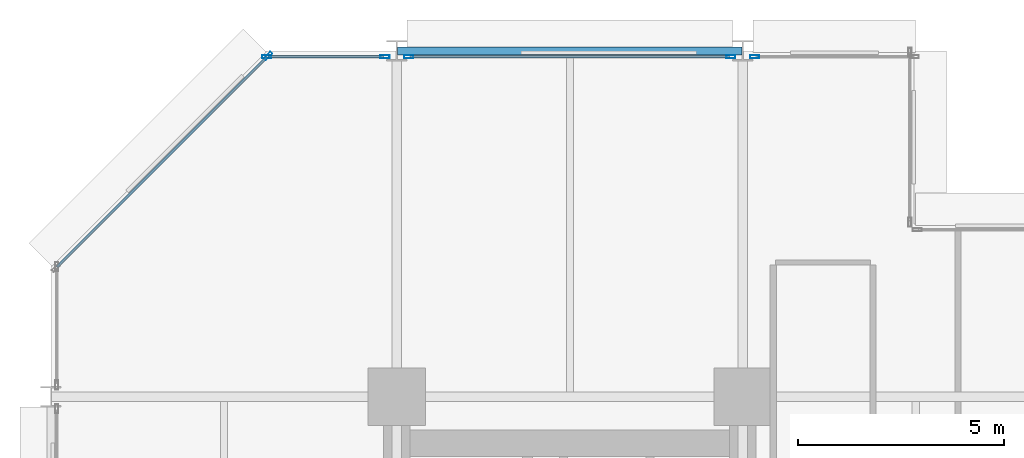
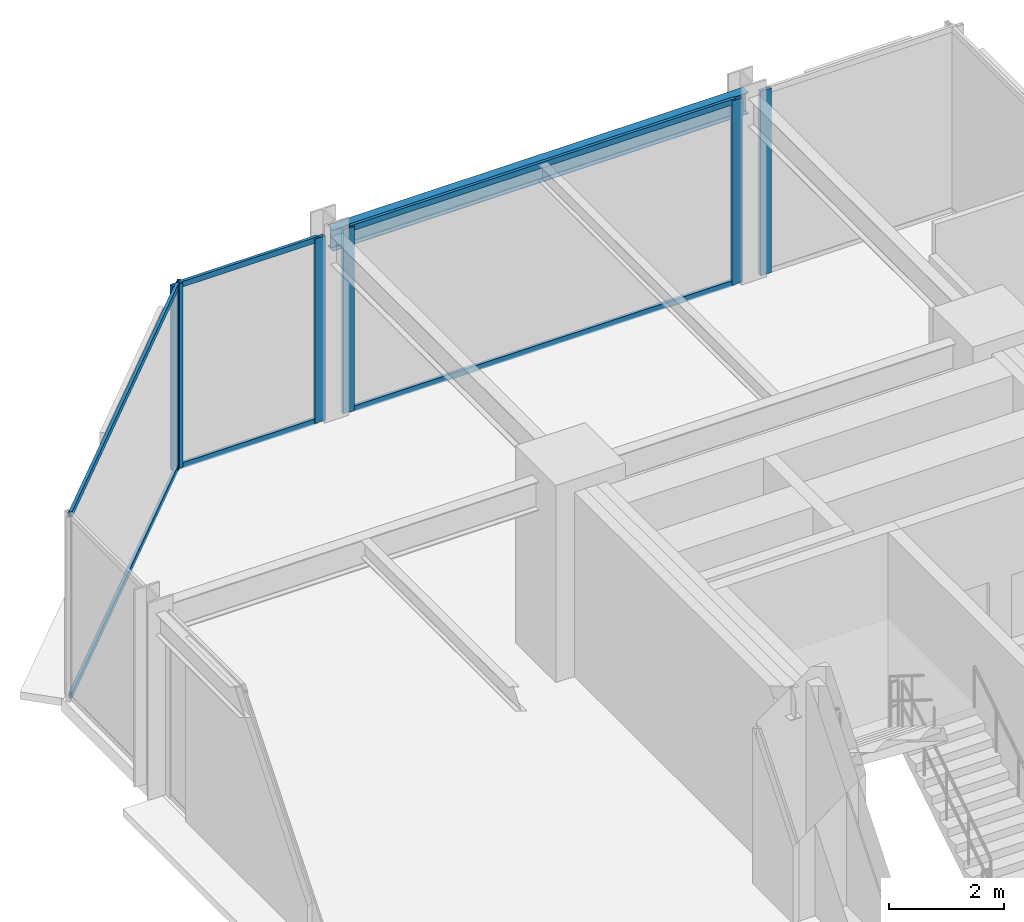
# One storey, part 19 of 27: 12 members, 1 beam, 4 elements without a shape of their own.
"""IFC4 building model written with IfcOpenShell, lengths in metres."""

from ifc_helpers import new_model, si_unit, direction, frame, origin, origin_2d, place, context, subcontext, project, spatial, hollow_rectangle, i_section, extrude, material, layer, layer_set, material_profile, profile_set, type_object, element, aggregate, save


model = new_model("IFC4")

# Units and contexts
model_context = context("Model", 3, precision=1e-05, world=origin(), true_north=direction((0.0, 1.0)))
body_context = subcontext(model_context, "Body", "Model", "MODEL_VIEW")
ifc_project = project(units=[si_unit("LENGTHUNIT", "METRE"), si_unit("AREAUNIT", "SQUARE_METRE"), si_unit("VOLUMEUNIT", "CUBIC_METRE"), si_unit("PLANEANGLEUNIT", "RADIAN"), si_unit("MASSUNIT", "GRAM", prefix="KILO")], contexts=[model_context])

# Site, building, storey
site_placement = place(None, origin())
site = spatial("IfcSite", under=ifc_project, at=site_placement, CompositionType="ELEMENT")
building_placement = place(site_placement, origin())
building = spatial("IfcBuilding", under=site, at=building_placement, Name="Nerrivon Quay Data Exchange", CompositionType="ELEMENT")
storey_placement = place(building_placement, frame((0.0, 0.0, 66.800048828125)))
storey = spatial("IfcBuildingStorey", under=building, at=storey_placement, Name="L15", CompositionType="ELEMENT", Elevation=66.800048828125)

# Beam
ifc_material_1 = material(Name="Steel Grade 350", Category="steel")
ifc_material_profile_1 = material_profile(ifc_material_1, i_section(OverallWidth=0.18994140625, OverallDepth=0.4541015625, WebThickness=0.008544921875, FlangeThickness=0.0126953125, FilletRadius=0.011474609375, at=origin_2d()), Name="460UB67.1")
ifc_profile_set_1 = profile_set([ifc_material_profile_1], Name="Steel Grade 350")
beam_type = type_object("IfcBeamType", Name="BM-SP1-460UB67", PredefinedType="SPANDREL", material=ifc_profile_set_1)
beam_placement = place(storey_placement, frame((8.4140625, 50.39990234375, 3.697998046875), z_axis=(1.0, 0.0, 0.0), x_axis=(0.0, 1.0, 0.0)))
element("IfcBeam", 1, at=beam_placement, inside=storey, type_object=beam_type, Name="L15 EW Girder Y=50.4 (8.4..16.8)", PredefinedType="SPANDREL", context=body_context, shape_type="SweptSolid", body=[
    extrude(i_section(OverallWidth=0.18994140625, OverallDepth=0.4541015625, WebThickness=0.008544921875, FlangeThickness=0.0126953125, FilletRadius=0.011474609375, at=origin_2d()), origin(), (0.0, 0.0, 1.0), 8.371826171875),
])

# Curtain wall, member
ifc_material_2 = material(Name="Anodised aluminium 6063-T6", Category="aluminium")
ifc_layer = layer(ifc_material_2, 0.219970703125)
ifc_layer_set = layer_set([ifc_layer], Name="Anodised aluminium 6063-T6")
curtain_wall_type = type_object("IfcCurtainWallType", Name="CW-SYS-01", PredefinedType="NOTDEFINED", material=ifc_layer_set)
curtain_wall_1_placement = place(storey_placement, origin())
curtain_wall_1 = element("IfcCurtainWall", 2, at=curtain_wall_1_placement, inside=storey, type_object=curtain_wall_type, Name="L15 Unitised Curtain Wall 23", PredefinedType="NOTDEFINED")
ifc_material_profile_2 = material_profile(ifc_material_2, hollow_rectangle(XDim=0.074951171875, YDim=0.219970703125, WallThickness=0.00390625, at=origin_2d()), Name="ALU-MULL-220x75")
ifc_profile_set_2 = profile_set([ifc_material_profile_2], Name="Anodised aluminium 6063-T6")
member_type_1 = type_object("IfcMemberType", Name="CWM-220x75", PredefinedType="MULLION", material=ifc_profile_set_2)
member_1_placement = place(storey_placement, frame((5.2724609375, 50.2744140625, 0.0), z_axis=(0.0, 0.0, 1.0), x_axis=(-0.707106781187, 0.707106781187, 0.0)))
member_1 = element("IfcMember", 3, at=member_1_placement, type_object=member_type_1, Name="CW01 mullion 2", PredefinedType="MULLION", context=body_context, shape_type="SweptSolid", body=[
    extrude(hollow_rectangle(XDim=0.074951171875, YDim=0.219970703125, WallThickness=0.00390625, at=origin_2d()), origin(), (0.0, 0.0, 1.0), 3.925048828125),
])

# Curtain wall, members
curtain_wall_2_placement = place(storey_placement, origin())
curtain_wall_2 = element("IfcCurtainWall", 4, at=curtain_wall_2_placement, inside=storey, type_object=curtain_wall_type, Name="L15 Unitised Curtain Wall 24", PredefinedType="NOTDEFINED")
member_2_placement = place(storey_placement, frame((5.237548828125, 50.260009765625, 0.0), z_axis=(0.0, 0.0, 1.0), x_axis=(0.0, 1.0, 0.0)))
member_2 = element("IfcMember", 5, at=member_2_placement, type_object=member_type_1, Name="CW01 mullion 1", PredefinedType="MULLION", context=body_context, shape_type="SweptSolid", body=[
    extrude(hollow_rectangle(XDim=0.074951171875, YDim=0.219970703125, WallThickness=0.00390625, at=origin_2d()), origin(), (0.0, 0.0, 1.0), 3.925048828125),
])
member_3_placement = place(storey_placement, frame((8.112548828125, 50.260009765625, 0.0), z_axis=(0.0, 0.0, 1.0), x_axis=(0.0, 1.0, 0.0)))
member_3 = element("IfcMember", 6, at=member_3_placement, type_object=member_type_1, Name="CW01 mullion 2", PredefinedType="MULLION", context=body_context, shape_type="SweptSolid", body=[
    extrude(hollow_rectangle(XDim=0.074951171875, YDim=0.219970703125, WallThickness=0.00390625, at=origin_2d()), origin(), (0.0, 0.0, 1.0), 3.925048828125),
])

curtain_wall_3_placement = place(storey_placement, origin())
curtain_wall_3 = element("IfcCurtainWall", 7, at=curtain_wall_3_placement, inside=storey, type_object=curtain_wall_type, Name="L15 Unitised Curtain Wall 25", PredefinedType="NOTDEFINED")
member_4_placement = place(storey_placement, frame((8.6875, 50.260009765625, 0.0), z_axis=(0.0, 0.0, 1.0), x_axis=(0.0, 1.0, 0.0)))
member_4 = element("IfcMember", 8, at=member_4_placement, type_object=member_type_1, Name="CW01 mullion 1", PredefinedType="MULLION", context=body_context, shape_type="SweptSolid", body=[
    extrude(hollow_rectangle(XDim=0.074951171875, YDim=0.219970703125, WallThickness=0.00390625, at=origin_2d()), origin(), (0.0, 0.0, 1.0), 3.925048828125),
])
member_5_placement = place(storey_placement, frame((16.512451171875, 50.260009765625, 0.0), z_axis=(0.0, 0.0, 1.0), x_axis=(0.0, 1.0, 0.0)))
member_5 = element("IfcMember", 9, at=member_5_placement, type_object=member_type_1, Name="CW01 mullion 2", PredefinedType="MULLION", context=body_context, shape_type="SweptSolid", body=[
    extrude(hollow_rectangle(XDim=0.074951171875, YDim=0.219970703125, WallThickness=0.00390625, at=origin_2d()), origin(), (0.0, 0.0, 1.0), 3.925048828125),
])

# Curtain wall, member
curtain_wall_4_placement = place(storey_placement, origin())
curtain_wall_4 = element("IfcCurtainWall", 10, at=curtain_wall_4_placement, inside=storey, type_object=curtain_wall_type, Name="L15 Unitised Curtain Wall 26", PredefinedType="NOTDEFINED")
member_6_placement = place(storey_placement, frame((17.08740234375, 50.260009765625, 0.0), z_axis=(0.0, 0.0, 1.0), x_axis=(0.0, 1.0, 0.0)))
member_6 = element("IfcMember", 11, at=member_6_placement, type_object=member_type_1, Name="CW01 mullion 1", PredefinedType="MULLION", context=body_context, shape_type="SweptSolid", body=[
    extrude(hollow_rectangle(XDim=0.074951171875, YDim=0.219970703125, WallThickness=0.00390625, at=origin_2d()), origin(), (0.0, 0.0, 1.0), 3.925048828125),
])
aggregate(curtain_wall_4, [member_6])

# Member
ifc_material_profile_3 = material_profile(ifc_material_2, hollow_rectangle(XDim=0.06005859375, YDim=0.1201171875, WallThickness=0.003173828125, at=origin_2d()), Name="ALU-TRAN-120x60")
ifc_profile_set_3 = profile_set([ifc_material_profile_3], Name="Anodised aluminium 6063-T6")
member_type_2 = type_object("IfcMemberType", Name="CWT-120x60", PredefinedType="USERDEFINED", material=ifc_profile_set_3)
member_7_placement = place(storey_placement, frame((0.152099609375, 45.154052734375, 0.032470703125), z_axis=(0.707089835771, 0.707123726196, 0.0), x_axis=(-0.707123726196, 0.707089835771, 0.0)))
member_7 = element("IfcMember", 12, at=member_7_placement, type_object=member_type_2, Name="CW01 transom 1.1", ObjectType="TRANSOM", PredefinedType="USERDEFINED", context=body_context, shape_type="SweptSolid", body=[
    extrude(hollow_rectangle(XDim=0.06005859375, YDim=0.1201171875, WallThickness=0.003173828125, at=origin_2d()), origin(), (0.0, 0.0, 1.0), 7.203857421875),
])

member_8_placement = place(storey_placement, frame((0.152099609375, 45.154052734375, 3.892333984375), z_axis=(0.707089835771, 0.707123726196, 0.0), x_axis=(-0.707123726196, 0.707089835771, 0.0)))
member_8 = element("IfcMember", 13, at=member_8_placement, type_object=member_type_2, Name="CW01 transom 1.2", ObjectType="TRANSOM", PredefinedType="USERDEFINED", context=body_context, shape_type="SweptSolid", body=[
    extrude(hollow_rectangle(XDim=0.06005859375, YDim=0.1201171875, WallThickness=0.003173828125, at=origin_2d()), origin(), (0.0, 0.0, 1.0), 7.203857421875),
])

aggregate(curtain_wall_1, [member_1, member_7, member_8])

member_9_placement = place(storey_placement, frame((5.27490234375, 50.260009765625, 0.032470703125), z_axis=(1.0, 0.0, 0.0), x_axis=(0.0, 1.0, 0.0)))
member_9 = element("IfcMember", 14, at=member_9_placement, type_object=member_type_2, Name="CW01 transom 1.1", ObjectType="TRANSOM", PredefinedType="USERDEFINED", context=body_context, shape_type="SweptSolid", body=[
    extrude(hollow_rectangle(XDim=0.06005859375, YDim=0.1201171875, WallThickness=0.003173828125, at=origin_2d()), origin(), (0.0, 0.0, 1.0), 2.800048828125),
])

member_10_placement = place(storey_placement, frame((5.27490234375, 50.260009765625, 3.892333984375), z_axis=(1.0, 0.0, 0.0), x_axis=(0.0, 1.0, 0.0)))
member_10 = element("IfcMember", 15, at=member_10_placement, type_object=member_type_2, Name="CW01 transom 1.2", ObjectType="TRANSOM", PredefinedType="USERDEFINED", context=body_context, shape_type="SweptSolid", body=[
    extrude(hollow_rectangle(XDim=0.06005859375, YDim=0.1201171875, WallThickness=0.003173828125, at=origin_2d()), origin(), (0.0, 0.0, 1.0), 2.800048828125),
])

aggregate(curtain_wall_2, [member_2, member_3, member_9, member_10])

member_11_placement = place(storey_placement, frame((8.72509765625, 50.260009765625, 0.032470703125), z_axis=(1.0, 0.0, 0.0), x_axis=(0.0, 1.0, 0.0)))
member_11 = element("IfcMember", 16, at=member_11_placement, type_object=member_type_2, Name="CW01 transom 1.1", ObjectType="TRANSOM", PredefinedType="USERDEFINED", context=body_context, shape_type="SweptSolid", body=[
    extrude(hollow_rectangle(XDim=0.06005859375, YDim=0.1201171875, WallThickness=0.003173828125, at=origin_2d()), origin(), (0.0, 0.0, 1.0), 7.75),
])

member_12_placement = place(storey_placement, frame((8.72509765625, 50.260009765625, 3.892333984375), z_axis=(1.0, 0.0, 0.0), x_axis=(0.0, 1.0, 0.0)))
member_12 = element("IfcMember", 17, at=member_12_placement, type_object=member_type_2, Name="CW01 transom 1.2", ObjectType="TRANSOM", PredefinedType="USERDEFINED", context=body_context, shape_type="SweptSolid", body=[
    extrude(hollow_rectangle(XDim=0.06005859375, YDim=0.1201171875, WallThickness=0.003173828125, at=origin_2d()), origin(), (0.0, 0.0, 1.0), 7.75),
])

aggregate(curtain_wall_3, [member_4, member_5, member_11, member_12])

save(model, "model.ifc")
